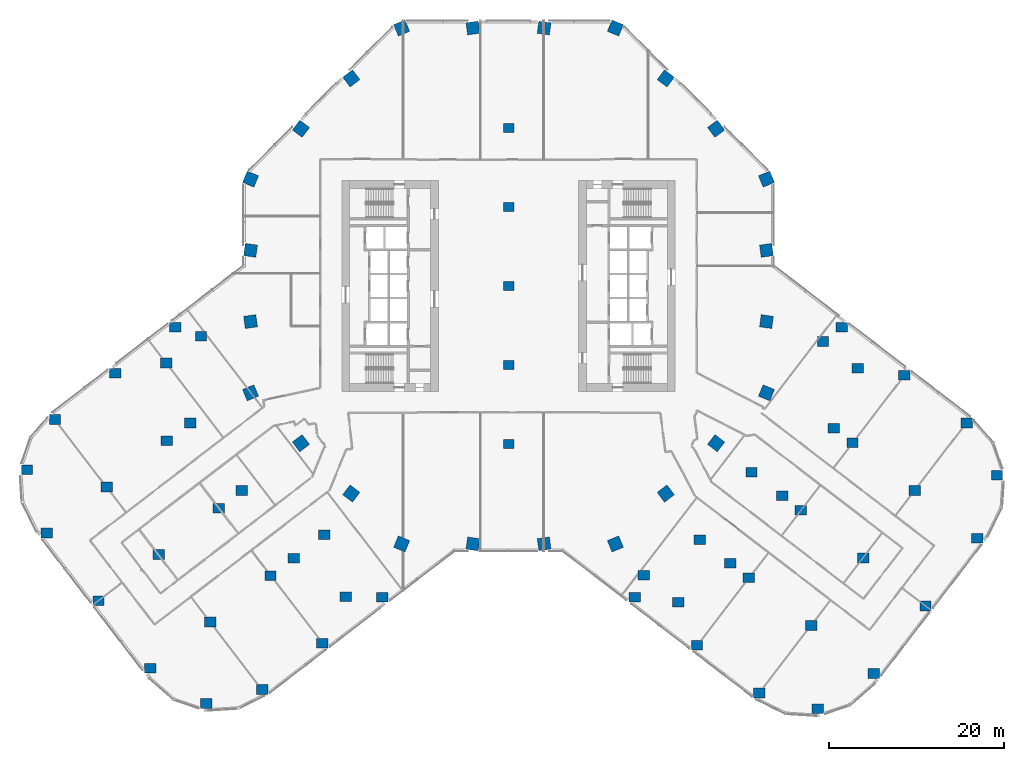
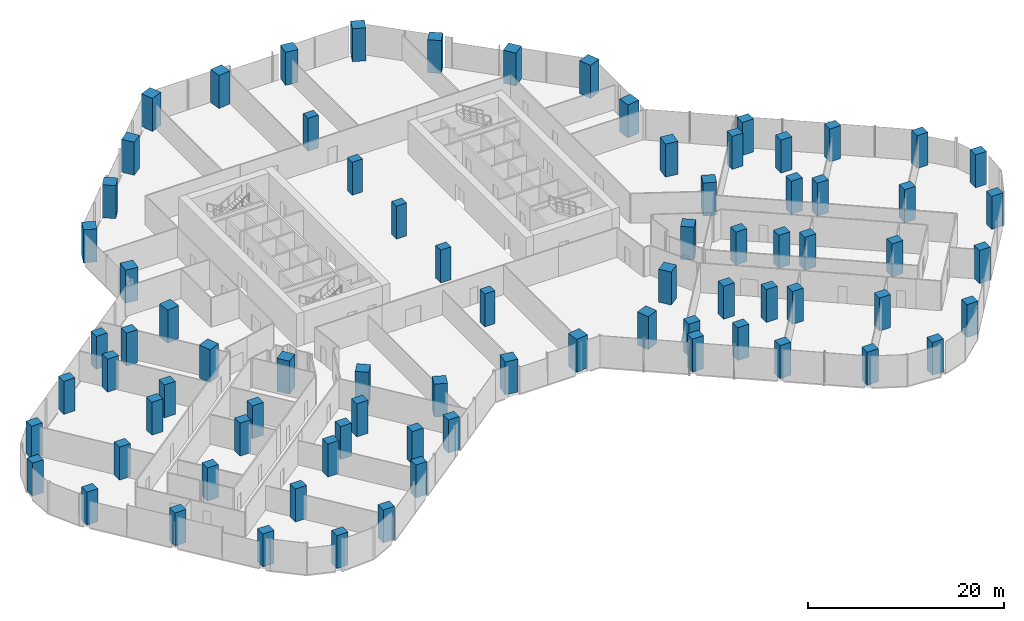
# One storey, part 1 of 29: 79 columns.
"""IFC4 building model written with IfcOpenShell, lengths in metres."""

import ifcopenshell
import ifcopenshell.guid

model = None  # the IFC model being written
_history = None  # IfcOwnerHistory: only IFC2X3 demands one
_inside = {}  # id of a spatial element -> (the spatial element, [elements in it])
_under = {}  # id of a project, library or spatial element -> (it, [spatial elements below it])
_declared = {}  # id of a project -> (the project, [libraries it declares])
_typed = {}  # id of a type object -> (the type object, [elements of that type])
_made_of = {}  # id of a material, layer set ... -> (it, [elements and type objects made of it])


def new_model(schema):
    """Start an empty IFC model of exactly this schema.

    Asked for "IFC4X3", IfcOpenShell would pick the latest addendum, in which some entities
    have other attributes; the version numbers below select the first issue.
    IFC2X3 requires an IfcOwnerHistory on every rooted entity: one is made here for all.
    """
    global model, _history
    if schema == "IFC4X3":
        model = ifcopenshell.file(schema_version=(4, 3, 0, 0))
    else:
        model = ifcopenshell.file(schema=schema)
    _inside.clear()
    _under.clear()
    _declared.clear()
    _typed.clear()
    _made_of.clear()
    _history = None
    if model.schema == "IFC2X3":
        org = make("IfcOrganization", Name="unknown")
        user = make(
            "IfcPersonAndOrganization",
            ThePerson=make("IfcPerson", FamilyName="unknown"),
            TheOrganization=org,
        )
        app = make(
            "IfcApplication",
            ApplicationDeveloper=org,
            Version="unknown",
            ApplicationFullName="unknown",
            ApplicationIdentifier="unknown",
        )
        _history = make(
            "IfcOwnerHistory",
            OwningUser=user,
            OwningApplication=app,
            ChangeAction="ADDED",
            CreationDate=0,
        )
    return model


def make(cls, **values):
    """One entity of the class cls with the attributes given. An attribute that is None is left unset."""
    return model.create_entity(
        cls, **{name: value for name, value in values.items() if value is not None}
    )


def rooted(cls, **values):
    """An entity with a GlobalId (a new one), such as an element, a storey or a relation."""
    return make(cls, GlobalId=ifcopenshell.guid.new(), OwnerHistory=_history, **values)


def si_unit(unit_type, name, prefix=None):
    """IfcSIUnit, for example si_unit("LENGTHUNIT", "METRE", prefix="MILLI")."""
    return make("IfcSIUnit", UnitType=unit_type, Prefix=prefix, Name=name)


def assignment(units):
    """IfcUnitAssignment: the units of a project."""
    return None if units is None else make("IfcUnitAssignment", Units=units)


def point(xyz):
    """IfcCartesianPoint."""
    return None if xyz is None else make("IfcCartesianPoint", Coordinates=xyz)


def direction(xyz):
    """IfcDirection."""
    return None if xyz is None else make("IfcDirection", DirectionRatios=xyz)


def frame(location, z_axis=None, x_axis=None):
    """IfcAxis2Placement3D, a coordinate frame: its origin and axes. An axis left out is left unset."""
    return make(
        "IfcAxis2Placement3D",
        Location=point(location),
        Axis=direction(z_axis),
        RefDirection=direction(x_axis),
    )


def frame_2d(location, x_axis=None):
    """IfcAxis2Placement2D, a coordinate frame in the plane: its origin and x axis."""
    return make(
        "IfcAxis2Placement2D", Location=point(location), RefDirection=direction(x_axis)
    )


def origin():
    """The frame at (0, 0, 0) with its axes left unset."""
    return frame((0.0, 0.0, 0.0))


def origin_2d():
    """The frame at (0, 0) in the plane with its x axis left unset."""
    return frame_2d((0.0, 0.0))


def place(relative_to, where):
    """IfcLocalPlacement: puts the frame where relative to a parent placement (None: the world)."""
    return make(
        "IfcLocalPlacement", PlacementRelTo=relative_to, RelativePlacement=where
    )


def context(
    kind, dimensions, precision=None, world=None, true_north=None, identifier=None
):
    """IfcGeometricRepresentationContext, for example the 3D "Model" context."""
    return make(
        "IfcGeometricRepresentationContext",
        ContextIdentifier=identifier,
        ContextType=kind,
        CoordinateSpaceDimension=dimensions,
        Precision=precision,
        WorldCoordinateSystem=world,
        TrueNorth=true_north,
    )


def subcontext(parent, identifier, kind, view, scale=None):
    """IfcGeometricRepresentationSubContext, for example "Body" below "Model"."""
    return make(
        "IfcGeometricRepresentationSubContext",
        ContextIdentifier=identifier,
        ContextType=kind,
        ParentContext=parent,
        TargetScale=scale,
        TargetView=view,
    )


def project(units=None, contexts=None):
    """IfcProject with its units and contexts."""
    return rooted(
        "IfcProject",
        Name="project",
        RepresentationContexts=contexts,
        UnitsInContext=assignment(units),
    )


def spatial(cls, under=None, at=None, **own):
    """A site, building, storey or space (cls), placed at a placement, below another one or the project."""
    s = rooted(cls, ObjectPlacement=at, **own)
    if under is not None:
        _under.setdefault(under.id(), (under, []))[1].append(s)
    return s


def profile(cls, at=None, kind="AREA", **sizes):
    """A parametric profile (cls). Its sizes go by their IFC names, for example OverallWidth=200.0."""
    return make(cls, ProfileType=kind, Position=at, **sizes)


def rectangle(**sizes):
    """IfcRectangleProfileDef."""
    return profile("IfcRectangleProfileDef", **sizes)


def extrude(swept, where, along, depth):
    """IfcExtrudedAreaSolid: the profile swept, set in the frame where, extruded along a direction by depth."""
    return make(
        "IfcExtrudedAreaSolid",
        SweptArea=swept,
        Position=where,
        ExtrudedDirection=direction(along),
        Depth=depth,
    )


def shape(context_of_items, identifier, shape_type, items):
    """IfcShapeRepresentation: the items that make up one representation, for example the "Body"."""
    return make(
        "IfcShapeRepresentation",
        ContextOfItems=context_of_items,
        RepresentationIdentifier=identifier,
        RepresentationType=shape_type,
        Items=items,
    )


def material(Name=None, Category=None):
    """IfcMaterial."""
    return make("IfcMaterial", Name=Name, Category=Category)


def material_profile(
    of_material, cross_section, Name=None, Category=None, Priority=None
):
    """IfcMaterialProfile: a cross section and its material."""
    return make(
        "IfcMaterialProfile",
        Name=Name,
        Material=of_material,
        Profile=cross_section,
        Priority=Priority,
        Category=Category,
    )


def profile_set(profiles, Name=None, composite=None):
    """IfcMaterialProfileSet."""
    return make(
        "IfcMaterialProfileSet",
        Name=Name,
        MaterialProfiles=profiles,
        CompositeProfile=composite,
    )


def made_of(thing, what):
    """Note that an element or type object is made of a material, layer set ...; save() writes the relation."""
    if what is not None:
        _made_of.setdefault(what.id(), (what, []))[1].append(thing)
    return thing


def type_object(cls, material=None, **own):
    """A type object (cls), such as IfcWallType, which elements share."""
    return made_of(rooted(cls, **own), material)


def element(
    cls,
    number,
    at=None,
    inside=None,
    cuts=None,
    type_object=None,
    material=None,
    context=None,
    identifier="Body",
    shape_type=None,
    held_by="IfcProductDefinitionShape",
    body=None,
    shapes=None,
    **own,
):
    """One element of the class cls, such as IfcWall. Its Tag is "e" and its number.

    at: its placement. inside: the storey or other place that contains it. cuts: it is an
    opening in that element (IfcRelVoidsElement). A single representation is given by context,
    identifier, shape_type and body (its items); several are given by shapes. held_by: the class
    of the entity that holds the representations. save() writes the other relations.
    """
    e = rooted(cls, Tag="e%d" % number, ObjectPlacement=at, **own)
    if body is not None:
        shapes = [shape(context, identifier, shape_type, body)]
    if shapes is not None:
        e.Representation = make(held_by, Representations=shapes)
    if inside is not None:
        _inside.setdefault(inside.id(), (inside, []))[1].append(e)
    if cuts is not None:
        rooted(
            "IfcRelVoidsElement", RelatingBuildingElement=cuts, RelatedOpeningElement=e
        )
    if type_object is not None:
        _typed.setdefault(type_object.id(), (type_object, []))[1].append(e)
    return made_of(e, material)


def aggregate(whole, parts):
    """IfcRelAggregates: a whole, such as a stair, and the parts it consists of."""
    return rooted("IfcRelAggregates", RelatingObject=whole, RelatedObjects=parts)


def save(model, path):
    """Write the relations noted so far, then the file.

    IfcRelAggregates (storeys below a building ...), IfcRelContainedInSpatialStructure (elements
    in a storey), IfcRelDefinesByType, IfcRelAssociatesMaterial and IfcRelDeclares: one each for
    every whole, place, type object, material and project.
    """
    for whole, parts in _under.values():
        aggregate(whole, parts)
    for where, things in _inside.values():
        rooted(
            "IfcRelContainedInSpatialStructure",
            RelatedElements=things,
            RelatingStructure=where,
        )
    for kind, things in _typed.values():
        rooted("IfcRelDefinesByType", RelatedObjects=things, RelatingType=kind)
    for what, things in _made_of.values():
        rooted("IfcRelAssociatesMaterial", RelatedObjects=things, RelatingMaterial=what)
    for by, libraries in _declared.values():
        rooted("IfcRelDeclares", RelatingContext=by, RelatedDefinitions=libraries)
    model.write(path)


model = new_model("IFC4")

# Units and contexts
model_context = context("Model", 3, precision=1e-05, world=origin(), true_north=direction((0.0, 1.0)))
body_context = subcontext(model_context, "Body", "Model", "MODEL_VIEW")
ifc_project = project(units=[si_unit("LENGTHUNIT", "METRE"), si_unit("AREAUNIT", "SQUARE_METRE"), si_unit("VOLUMEUNIT", "CUBIC_METRE"), si_unit("PLANEANGLEUNIT", "RADIAN"), si_unit("MASSUNIT", "GRAM", prefix="KILO")], contexts=[model_context])

# Site, building, storey
site_placement = place(None, origin())
site = spatial("IfcSite", under=ifc_project, at=site_placement, CompositionType="ELEMENT")
building_placement = place(site_placement, origin())
building = spatial("IfcBuilding", under=site, at=building_placement, Name="Orlundy Tower", CompositionType="ELEMENT")
storey_placement = place(building_placement, frame((0.0, 0.0, 29.199951171875)))
storey = spatial("IfcBuildingStorey", under=building, at=storey_placement, Name="L05", CompositionType="ELEMENT", Elevation=29.199951171875)

# Columns
ifc_material_1 = material(Name="Concrete C80/95", Category="concrete")
ifc_material_profile_1 = material_profile(ifc_material_1, rectangle(XDim=1.199951171875, YDim=1.0, at=origin_2d()), Name="RC1200X1000")
ifc_profile_set_1 = profile_set([ifc_material_profile_1], Name="Concrete C80/95")
column_type_1 = type_object("IfcColumnType", Name="RC COLUMN RC1200X1000 C80/95", PredefinedType="COLUMN", material=ifc_profile_set_1)
for number, where, z_axis, x_axis, name in (
    (1, (0.0, -18.0, 0.0), (0.0, 0.0, 1.0), (1.0, 0.0, 0.0), "Column C-M1 L05"),
    (2, (0.0, -9.0, 0.0), (0.0, 0.0, 1.0), (1.0, 0.0, 0.0), "Column C-M2 L05"),
    (3, (0.0, 0.0, 0.0), (0.0, 0.0, 1.0), (1.0, 0.0, 0.0), "Column C-M3 L05"),
    (4, (0.0, 9.0, 0.0), (0.0, 0.0, 1.0), (1.0, 0.0, 0.0), "Column C-M4 L05"),
    (5, (0.0, 18.0, 0.0), (0.0, 0.0, 1.0), (1.0, 0.0, 0.0), "Column C-M5 L05"),
):
    element("IfcColumn", number, at=place(storey_placement, frame(where, z_axis=z_axis, x_axis=x_axis)), inside=storey, type_object=column_type_1, Name=name, PredefinedType="COLUMN", context=body_context, shape_type="SweptSolid", body=[
        extrude(rectangle(XDim=1.199951171875, YDim=1.0, at=origin_2d()), origin(), (0.0, 0.0, 1.0), 4.10009765625),
    ])
ifc_material_2 = material(Name="Concrete C80/95", Category="concrete")
ifc_material_profile_2 = material_profile(ifc_material_2, rectangle(XDim=1.300048828125, YDim=1.10009765625, at=origin_2d()), Name="RC1300X1100")
ifc_profile_set_2 = profile_set([ifc_material_profile_2], Name="Concrete C80/95")
column_type_2 = type_object("IfcColumnType", Name="RC COLUMN RC1300X1100 C80/95", PredefinedType="COLUMN", material=ifc_profile_set_2)
for number, where, z_axis, x_axis, name in (
    (6, (14.37109375, -35.47998046875, 0.0), (0.0, 0.0, 1.0), (1.0, 0.0, 0.0), "Column C-A1-1 L05"),
    (7, (21.48388671875, -40.93896484375, 0.0), (0.0, 0.0, 1.0), (1.0, 0.0, 0.0), "Column C-A1-2 L05"),
    (8, (28.597900390625, -46.39697265625, 0.0), (0.0, 0.0, 1.0), (1.0, 0.0, 0.0), "Column C-A1-3 L05"),
    (9, (35.23095703125, -48.200927734375, 0.0), (0.0, 0.0, 1.0), (1.0, 0.0, 0.0), "Column C-A1-5 L05"),
    (10, (19.364013671875, -36.02587890625, 0.0), (0.0, 0.0, 1.0), (1.0, 0.0, 0.0), "Column C-A1-6 L05"),
    (11, (15.39697265625, -32.98193359375, 0.0), (0.0, 0.0, 1.0), (1.0, 0.0, 0.0), "Column C-A1-7 L05"),
    (12, (27.388916015625, -33.242919921875, 0.0), (0.0, 0.0, 1.0), (1.0, 0.0, 0.0), "Column C-A2-2 L05"),
    (13, (34.5029296875, -38.701904296875, 0.0), (0.0, 0.0, 1.0), (1.0, 0.0, 0.0), "Column C-A2-3 L05"),
    (14, (41.616943359375, -44.159912109375, 0.0), (0.0, 0.0, 1.0), (1.0, 0.0, 0.0), "Column C-A2-5 L05"),
    (15, (25.27392578125, -31.6201171875, 0.0), (0.0, 0.0, 1.0), (1.0, 0.0, 0.0), "Column C-A2-6 L05"),
    (16, (21.782958984375, -28.94091796875, 0.0), (0.0, 0.0, 1.0), (1.0, 0.0, 0.0), "Column C-A2-7 L05"),
    (17, (33.2939453125, -25.548095703125, 0.0), (0.0, 0.0, 1.0), (1.0, 0.0, 0.0), "Column C-A3-2 L05"),
    (18, (40.407958984375, -31.006103515625, 0.0), (0.0, 0.0, 1.0), (1.0, 0.0, 0.0), "Column C-A3-3 L05"),
    (19, (47.52197265625, -36.465087890625, 0.0), (0.0, 0.0, 1.0), (1.0, 0.0, 0.0), "Column C-A3-5 L05"),
    (20, (31.178955078125, -23.924072265625, 0.0), (0.0, 0.0, 1.0), (1.0, 0.0, 0.0), "Column C-A3-6 L05"),
    (21, (27.68798828125, -21.24609375, 0.0), (0.0, 0.0, 1.0), (1.0, 0.0, 0.0), "Column C-A3-7 L05"),
    (22, (39.198974609375, -17.85205078125, 0.0), (0.0, 0.0, 1.0), (1.0, 0.0, 0.0), "Column C-A4-2 L05"),
    (23, (46.31298828125, -23.31103515625, 0.0), (0.0, 0.0, 1.0), (1.0, 0.0, 0.0), "Column C-A4-3 L05"),
    (24, (53.427001953125, -28.76904296875, 0.0), (0.0, 0.0, 1.0), (1.0, 0.0, 0.0), "Column C-A4-5 L05"),
    (25, (37.083984375, -16.22900390625, 0.0), (0.0, 0.0, 1.0), (1.0, 0.0, 0.0), "Column C-A4-6 L05"),
    (26, (37.990966796875, -4.697998046875, 0.0), (0.0, 0.0, 1.0), (1.0, 0.0, 0.0), "Column C-A5-1 L05"),
    (27, (45.10400390625, -10.156982421875, 0.0), (0.0, 0.0, 1.0), (1.0, 0.0, 0.0), "Column C-A5-2 L05"),
    (28, (52.218017578125, -15.614990234375, 0.0), (0.0, 0.0, 1.0), (1.0, 0.0, 0.0), "Column C-A5-3 L05"),
    (29, (55.677001953125, -21.554931640625, 0.0), (0.0, 0.0, 1.0), (1.0, 0.0, 0.0), "Column C-A5-5 L05"),
    (30, (39.81005859375, -9.3798828125, 0.0), (0.0, 0.0, 1.0), (1.0, 0.0, 0.0), "Column C-A5-6 L05"),
    (31, (35.843017578125, -6.3359375, 0.0), (0.0, 0.0, 1.0), (1.0, 0.0, 0.0), "Column C-A5-7 L05"),
    (32, (-37.990966796875, -4.697998046875, 0.0), (0.0, 0.0, 1.0), (1.0, 0.0, 0.0), "Column C-B1-1 L05"),
    (33, (-44.840087890625, -9.9541015625, 0.0), (0.0, 0.0, 1.0), (1.0, 0.0, 0.0), "Column C-B1-2 L05"),
    (34, (-51.68701171875, -15.2119140625, 0.0), (0.0, 0.0, 1.0), (1.0, 0.0, 0.0), "Column C-B1-3 L05"),
    (35, (-54.884033203125, -20.946044921875, 0.0), (0.0, 0.0, 1.0), (1.0, 0.0, 0.0), "Column C-B1-5 L05"),
    (36, (-39.01611328125, -8.77099609375, 0.0), (0.0, 0.0, 1.0), (1.0, 0.0, 0.0), "Column C-B1-6 L05"),
    (37, (-35.050048828125, -5.72705078125, 0.0), (0.0, 0.0, 1.0), (1.0, 0.0, 0.0), "Column C-B1-7 L05"),
    (38, (-38.93505859375, -17.64892578125, 0.0), (0.0, 0.0, 1.0), (1.0, 0.0, 0.0), "Column C-B2-2 L05"),
    (39, (-45.783935546875, -22.905029296875, 0.0), (0.0, 0.0, 1.0), (1.0, 0.0, 0.0), "Column C-B2-3 L05"),
    (40, (-52.633056640625, -28.160888671875, 0.0), (0.0, 0.0, 1.0), (1.0, 0.0, 0.0), "Column C-B2-5 L05"),
    (41, (-36.2900390625, -15.6201171875, 0.0), (0.0, 0.0, 1.0), (1.0, 0.0, 0.0), "Column C-B2-6 L05"),
    (42, (-33.030029296875, -25.344970703125, 0.0), (0.0, 0.0, 1.0), (1.0, 0.0, 0.0), "Column C-B3-2 L05"),
    (43, (-39.87890625, -30.60009765625, 0.0), (0.0, 0.0, 1.0), (1.0, 0.0, 0.0), "Column C-B3-3 L05"),
    (44, (-46.72900390625, -35.85595703125, 0.0), (0.0, 0.0, 1.0), (1.0, 0.0, 0.0), "Column C-B3-5 L05"),
    (45, (-30.385009765625, -23.31591796875, 0.0), (0.0, 0.0, 1.0), (1.0, 0.0, 0.0), "Column C-B3-6 L05"),
    (46, (-27.125, -33.0400390625, 0.0), (0.0, 0.0, 1.0), (1.0, 0.0, 0.0), "Column C-B4-2 L05"),
    (47, (-33.97412109375, -38.2958984375, 0.0), (0.0, 0.0, 1.0), (1.0, 0.0, 0.0), "Column C-B4-3 L05"),
    (48, (-40.823974609375, -43.552001953125, 0.0), (0.0, 0.0, 1.0), (1.0, 0.0, 0.0), "Column C-B4-5 L05"),
    (49, (-24.47998046875, -31.010986328125, 0.0), (0.0, 0.0, 1.0), (1.0, 0.0, 0.0), "Column C-B4-6 L05"),
    (50, (-20.989990234375, -28.3330078125, 0.0), (0.0, 0.0, 1.0), (1.0, 0.0, 0.0), "Column C-B4-7 L05"),
    (51, (-14.37109375, -35.47998046875, 0.0), (0.0, 0.0, 1.0), (1.0, 0.0, 0.0), "Column C-B5-1 L05"),
    (52, (-21.219970703125, -40.736083984375, 0.0), (0.0, 0.0, 1.0), (1.0, 0.0, 0.0), "Column C-B5-2 L05"),
    (53, (-28.072021484375, -45.988037109375, 0.0), (0.0, 0.0, 1.0), (1.0, 0.0, 0.0), "Column C-B5-3 L05"),
    (54, (-34.43701171875, -47.592041015625, 0.0), (0.0, 0.0, 1.0), (1.0, 0.0, 0.0), "Column C-B5-5 L05"),
    (55, (-18.570068359375, -35.4169921875, 0.0), (0.0, 0.0, 1.0), (1.0, 0.0, 0.0), "Column C-B5-6 L05"),
):
    element("IfcColumn", number, at=place(storey_placement, frame(where, z_axis=z_axis, x_axis=x_axis)), inside=storey, type_object=column_type_2, Name=name, PredefinedType="COLUMN", context=body_context, shape_type="SweptSolid", body=[
        extrude(rectangle(XDim=1.300048828125, YDim=1.10009765625, at=origin_2d()), origin(), (0.0, 0.0, 1.0), 4.10009765625),
    ])
ifc_material_3 = material(Name="Concrete C80/95", Category="concrete")
ifc_material_profile_3 = material_profile(ifc_material_3, rectangle(XDim=1.39990234375, YDim=1.39990234375, at=origin_2d()), Name="RC1400X1400")
ifc_profile_set_3 = profile_set([ifc_material_profile_3], Name="Concrete C80/95")
column_type_3 = type_object("IfcColumnType", Name="RC COLUMN RC1400X1400 C80/95", PredefinedType="COLUMN", material=ifc_profile_set_3)
for number, where, z_axis, x_axis, name in (
    (56, (29.39990234375, 12.177978515625, 0.0), (0.0, 0.0, 1.0), (0.923879532511, 0.382683432365, 0.0), "Column C-H01 L05"),
    (57, (29.39990234375, 4.05908203125, 0.0), (0.0, 0.0, 1.0), (0.990602789303, 0.136770295844, 0.0), "Column C-H02 L05"),
    (58, (29.39990234375, -4.05908203125, 0.0), (0.0, 0.0, 1.0), (0.990602789303, -0.136770295844, 0.0), "Column C-H03 L05"),
    (59, (29.39990234375, -12.177978515625, 0.0), (0.0, 0.0, 1.0), (0.923879532511, -0.382683432365, 0.0), "Column C-H04 L05"),
    (60, (23.658935546875, -17.9189453125, 0.0), (0.0, 0.0, 1.0), (0.797162615875, -0.603764659327, 0.0), "Column C-H05 L05"),
    (61, (17.9189453125, -23.658935546875, 0.0), (0.0, 0.0, 1.0), (0.603764659327, -0.797162615875, 0.0), "Column C-H06 L05"),
    (62, (12.177978515625, -29.39990234375, 0.0), (0.0, 0.0, 1.0), (0.382683432365, -0.923879532511, 0.0), "Column C-H07 L05"),
    (63, (4.05908203125, -29.39990234375, 0.0), (0.0, 0.0, 1.0), (0.136770295844, -0.990602789303, 0.0), "Column C-H08 L05"),
    (64, (-4.05908203125, -29.39990234375, 0.0), (0.0, 0.0, 1.0), (-0.136770295844, -0.990602789303, 0.0), "Column C-H09 L05"),
    (65, (-12.177978515625, -29.39990234375, 0.0), (0.0, 0.0, 1.0), (-0.382683432365, -0.923879532511, 0.0), "Column C-H10 L05"),
    (66, (-17.9189453125, -23.658935546875, 0.0), (0.0, 0.0, 1.0), (-0.603764659327, -0.797162615875, 0.0), "Column C-H11 L05"),
    (67, (-23.658935546875, -17.9189453125, 0.0), (0.0, 0.0, 1.0), (-0.797162615875, -0.603764659327, 0.0), "Column C-H12 L05"),
    (68, (-29.39990234375, -12.177978515625, 0.0), (0.0, 0.0, 1.0), (-0.923879532511, -0.382683432365, 0.0), "Column C-H13 L05"),
    (69, (-29.39990234375, -4.05908203125, 0.0), (0.0, 0.0, 1.0), (-0.990602789303, -0.136770295844, 0.0), "Column C-H14 L05"),
    (70, (-29.39990234375, 4.05908203125, 0.0), (0.0, 0.0, 1.0), (-0.990602789303, 0.136770295844, 0.0), "Column C-H15 L05"),
    (71, (-29.39990234375, 12.177978515625, 0.0), (0.0, 0.0, 1.0), (-0.923879532511, 0.382683432365, 0.0), "Column C-H16 L05"),
    (72, (-23.658935546875, 17.9189453125, 0.0), (0.0, 0.0, 1.0), (-0.797162615875, 0.603764659327, 0.0), "Column C-H17 L05"),
    (73, (-17.9189453125, 23.658935546875, 0.0), (0.0, 0.0, 1.0), (-0.603764659327, 0.797162615875, 0.0), "Column C-H18 L05"),
    (74, (-12.177978515625, 29.39990234375, 0.0), (0.0, 0.0, 1.0), (-0.382683432365, 0.923879532511, 0.0), "Column C-H19 L05"),
    (75, (-4.05908203125, 29.39990234375, 0.0), (0.0, 0.0, 1.0), (-0.136770295844, 0.990602789303, 0.0), "Column C-H20 L05"),
    (76, (4.05908203125, 29.39990234375, 0.0), (0.0, 0.0, 1.0), (0.136770295844, 0.990602789303, 0.0), "Column C-H21 L05"),
    (77, (12.177978515625, 29.39990234375, 0.0), (0.0, 0.0, 1.0), (0.382683432365, 0.923879532511, 0.0), "Column C-H22 L05"),
    (78, (17.9189453125, 23.658935546875, 0.0), (0.0, 0.0, 1.0), (0.603764659327, 0.797162615875, 0.0), "Column C-H23 L05"),
    (79, (23.658935546875, 17.9189453125, 0.0), (0.0, 0.0, 1.0), (0.797162615875, 0.603764659327, 0.0), "Column C-H24 L05"),
):
    element("IfcColumn", number, at=place(storey_placement, frame(where, z_axis=z_axis, x_axis=x_axis)), inside=storey, type_object=column_type_3, Name=name, PredefinedType="COLUMN", context=body_context, shape_type="SweptSolid", body=[
        extrude(rectangle(XDim=1.39990234375, YDim=1.39990234375, at=origin_2d()), origin(), (0.0, 0.0, 1.0), 4.10009765625),
    ])

save(model, "model.ifc")
